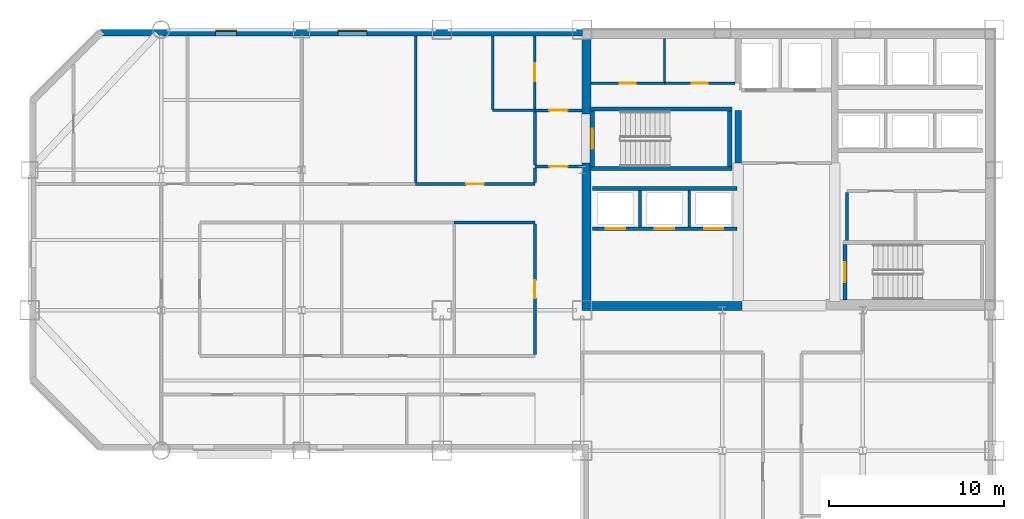
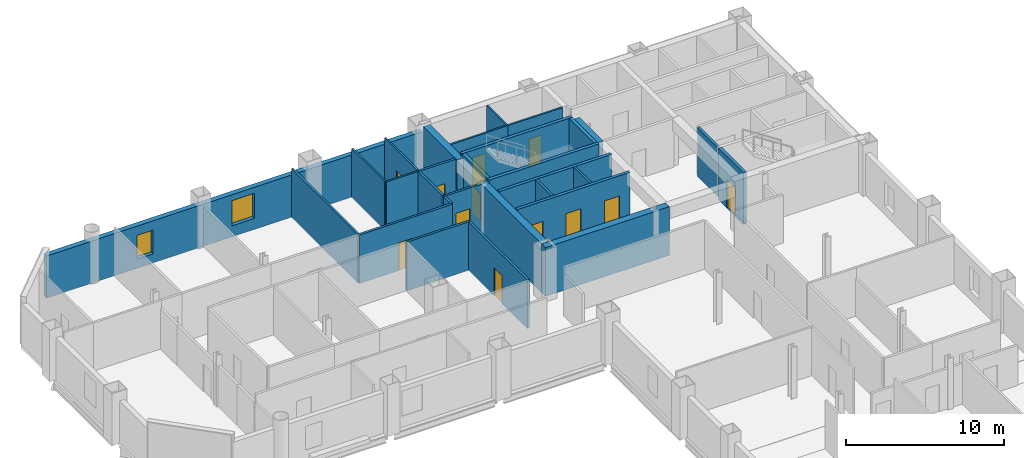
# One storey, part 7 of 10: 29 walls, 12 doors, 2 windows, 14 openings.
"""IFC4 building model written with IfcOpenShell, lengths in metres."""

import ifcopenshell
import ifcopenshell.guid

model = None  # the IFC model being written
_history = None  # IfcOwnerHistory: only IFC2X3 demands one
_inside = {}  # id of a spatial element -> (the spatial element, [elements in it])
_under = {}  # id of a project, library or spatial element -> (it, [spatial elements below it])
_declared = {}  # id of a project -> (the project, [libraries it declares])
_typed = {}  # id of a type object -> (the type object, [elements of that type])
_made_of = {}  # id of a material, layer set ... -> (it, [elements and type objects made of it])


def new_model(schema):
    """Start an empty IFC model of exactly this schema.

    Asked for "IFC4X3", IfcOpenShell would pick the latest addendum, in which some entities
    have other attributes; the version numbers below select the first issue.
    IFC2X3 requires an IfcOwnerHistory on every rooted entity: one is made here for all.
    """
    global model, _history
    if schema == "IFC4X3":
        model = ifcopenshell.file(schema_version=(4, 3, 0, 0))
    else:
        model = ifcopenshell.file(schema=schema)
    _inside.clear()
    _under.clear()
    _declared.clear()
    _typed.clear()
    _made_of.clear()
    _history = None
    if model.schema == "IFC2X3":
        org = make("IfcOrganization", Name="unknown")
        user = make(
            "IfcPersonAndOrganization",
            ThePerson=make("IfcPerson", FamilyName="unknown"),
            TheOrganization=org,
        )
        app = make(
            "IfcApplication",
            ApplicationDeveloper=org,
            Version="unknown",
            ApplicationFullName="unknown",
            ApplicationIdentifier="unknown",
        )
        _history = make(
            "IfcOwnerHistory",
            OwningUser=user,
            OwningApplication=app,
            ChangeAction="ADDED",
            CreationDate=0,
        )
    return model


def make(cls, **values):
    """One entity of the class cls with the attributes given. An attribute that is None is left unset."""
    return model.create_entity(
        cls, **{name: value for name, value in values.items() if value is not None}
    )


def rooted(cls, **values):
    """An entity with a GlobalId (a new one), such as an element, a storey or a relation."""
    return make(cls, GlobalId=ifcopenshell.guid.new(), OwnerHistory=_history, **values)


def si_unit(unit_type, name, prefix=None):
    """IfcSIUnit, for example si_unit("LENGTHUNIT", "METRE", prefix="MILLI")."""
    return make("IfcSIUnit", UnitType=unit_type, Prefix=prefix, Name=name)


def assignment(units):
    """IfcUnitAssignment: the units of a project."""
    return None if units is None else make("IfcUnitAssignment", Units=units)


def point(xyz):
    """IfcCartesianPoint."""
    return None if xyz is None else make("IfcCartesianPoint", Coordinates=xyz)


def direction(xyz):
    """IfcDirection."""
    return None if xyz is None else make("IfcDirection", DirectionRatios=xyz)


def frame(location, z_axis=None, x_axis=None):
    """IfcAxis2Placement3D, a coordinate frame: its origin and axes. An axis left out is left unset."""
    return make(
        "IfcAxis2Placement3D",
        Location=point(location),
        Axis=direction(z_axis),
        RefDirection=direction(x_axis),
    )


def frame_2d(location, x_axis=None):
    """IfcAxis2Placement2D, a coordinate frame in the plane: its origin and x axis."""
    return make(
        "IfcAxis2Placement2D", Location=point(location), RefDirection=direction(x_axis)
    )


def origin():
    """The frame at (0, 0, 0) with its axes left unset."""
    return frame((0.0, 0.0, 0.0))


def place(relative_to, where):
    """IfcLocalPlacement: puts the frame where relative to a parent placement (None: the world)."""
    return make(
        "IfcLocalPlacement", PlacementRelTo=relative_to, RelativePlacement=where
    )


def context(
    kind, dimensions, precision=None, world=None, true_north=None, identifier=None
):
    """IfcGeometricRepresentationContext, for example the 3D "Model" context."""
    return make(
        "IfcGeometricRepresentationContext",
        ContextIdentifier=identifier,
        ContextType=kind,
        CoordinateSpaceDimension=dimensions,
        Precision=precision,
        WorldCoordinateSystem=world,
        TrueNorth=true_north,
    )


def subcontext(parent, identifier, kind, view, scale=None):
    """IfcGeometricRepresentationSubContext, for example "Body" below "Model"."""
    return make(
        "IfcGeometricRepresentationSubContext",
        ContextIdentifier=identifier,
        ContextType=kind,
        ParentContext=parent,
        TargetScale=scale,
        TargetView=view,
    )


def project(units=None, contexts=None):
    """IfcProject with its units and contexts."""
    return rooted(
        "IfcProject",
        Name="project",
        RepresentationContexts=contexts,
        UnitsInContext=assignment(units),
    )


def spatial(cls, under=None, at=None, **own):
    """A site, building, storey or space (cls), placed at a placement, below another one or the project."""
    s = rooted(cls, ObjectPlacement=at, **own)
    if under is not None:
        _under.setdefault(under.id(), (under, []))[1].append(s)
    return s


def profile(cls, at=None, kind="AREA", **sizes):
    """A parametric profile (cls). Its sizes go by their IFC names, for example OverallWidth=200.0."""
    return make(cls, ProfileType=kind, Position=at, **sizes)


def rectangle(**sizes):
    """IfcRectangleProfileDef."""
    return profile("IfcRectangleProfileDef", **sizes)


def extrude(swept, where, along, depth):
    """IfcExtrudedAreaSolid: the profile swept, set in the frame where, extruded along a direction by depth."""
    return make(
        "IfcExtrudedAreaSolid",
        SweptArea=swept,
        Position=where,
        ExtrudedDirection=direction(along),
        Depth=depth,
    )


def shape(context_of_items, identifier, shape_type, items):
    """IfcShapeRepresentation: the items that make up one representation, for example the "Body"."""
    return make(
        "IfcShapeRepresentation",
        ContextOfItems=context_of_items,
        RepresentationIdentifier=identifier,
        RepresentationType=shape_type,
        Items=items,
    )


def material(Name=None, Category=None):
    """IfcMaterial."""
    return make("IfcMaterial", Name=Name, Category=Category)


def layer(
    of_material, thickness, ventilated=None, Name=None, Category=None, Priority=None
):
    """IfcMaterialLayer: one layer of a wall or slab, of a material (None: an air gap)."""
    return make(
        "IfcMaterialLayer",
        Material=of_material,
        LayerThickness=thickness,
        IsVentilated=ventilated,
        Name=Name,
        Category=Category,
        Priority=Priority,
    )


def layer_set(layers, Name=None):
    """IfcMaterialLayerSet."""
    return make("IfcMaterialLayerSet", MaterialLayers=layers, LayerSetName=Name)


def made_of(thing, what):
    """Note that an element or type object is made of a material, layer set ...; save() writes the relation."""
    if what is not None:
        _made_of.setdefault(what.id(), (what, []))[1].append(thing)
    return thing


def type_object(cls, material=None, **own):
    """A type object (cls), such as IfcWallType, which elements share."""
    return made_of(rooted(cls, **own), material)


def element(
    cls,
    number,
    at=None,
    inside=None,
    cuts=None,
    type_object=None,
    material=None,
    context=None,
    identifier="Body",
    shape_type=None,
    held_by="IfcProductDefinitionShape",
    body=None,
    shapes=None,
    **own,
):
    """One element of the class cls, such as IfcWall. Its Tag is "e" and its number.

    at: its placement. inside: the storey or other place that contains it. cuts: it is an
    opening in that element (IfcRelVoidsElement). A single representation is given by context,
    identifier, shape_type and body (its items); several are given by shapes. held_by: the class
    of the entity that holds the representations. save() writes the other relations.
    """
    e = rooted(cls, Tag="e%d" % number, ObjectPlacement=at, **own)
    if body is not None:
        shapes = [shape(context, identifier, shape_type, body)]
    if shapes is not None:
        e.Representation = make(held_by, Representations=shapes)
    if inside is not None:
        _inside.setdefault(inside.id(), (inside, []))[1].append(e)
    if cuts is not None:
        rooted(
            "IfcRelVoidsElement", RelatingBuildingElement=cuts, RelatedOpeningElement=e
        )
    if type_object is not None:
        _typed.setdefault(type_object.id(), (type_object, []))[1].append(e)
    return made_of(e, material)


def fill(opening, filler):
    """IfcRelFillsElement: the door or window that sits in an opening."""
    return rooted(
        "IfcRelFillsElement",
        RelatingOpeningElement=opening,
        RelatedBuildingElement=filler,
    )


def aggregate(whole, parts):
    """IfcRelAggregates: a whole, such as a stair, and the parts it consists of."""
    return rooted("IfcRelAggregates", RelatingObject=whole, RelatedObjects=parts)


def save(model, path):
    """Write the relations noted so far, then the file.

    IfcRelAggregates (storeys below a building ...), IfcRelContainedInSpatialStructure (elements
    in a storey), IfcRelDefinesByType, IfcRelAssociatesMaterial and IfcRelDeclares: one each for
    every whole, place, type object, material and project.
    """
    for whole, parts in _under.values():
        aggregate(whole, parts)
    for where, things in _inside.values():
        rooted(
            "IfcRelContainedInSpatialStructure",
            RelatedElements=things,
            RelatingStructure=where,
        )
    for kind, things in _typed.values():
        rooted("IfcRelDefinesByType", RelatedObjects=things, RelatingType=kind)
    for what, things in _made_of.values():
        rooted("IfcRelAssociatesMaterial", RelatedObjects=things, RelatingMaterial=what)
    for by, libraries in _declared.values():
        rooted("IfcRelDeclares", RelatingContext=by, RelatedDefinitions=libraries)
    model.write(path)


model = new_model("IFC4")

# Units and contexts
model_context = context("Model", 3, precision=1e-05, world=origin(), true_north=direction((0.0, 1.0)))
body_context = subcontext(model_context, "Body", "Model", "MODEL_VIEW")
ifc_project = project(units=[si_unit("LENGTHUNIT", "METRE"), si_unit("AREAUNIT", "SQUARE_METRE"), si_unit("VOLUMEUNIT", "CUBIC_METRE"), si_unit("PLANEANGLEUNIT", "RADIAN"), si_unit("MASSUNIT", "GRAM", prefix="KILO")], contexts=[model_context])

# Site, building, storey
site_placement = place(None, origin())
site = spatial("IfcSite", under=ifc_project, at=site_placement, CompositionType="ELEMENT")
building_placement = place(site_placement, origin())
building = spatial("IfcBuilding", under=site, at=building_placement, Name="Qianrong Seaharbour Tower", CompositionType="ELEMENT")
storey_placement = place(building_placement, frame((0.0, 0.0, 183.0)))
storey = spatial("IfcBuildingStorey", under=building, at=storey_placement, Name="L44", CompositionType="ELEMENT", Elevation=183.0)

# Walls
ifc_material_1 = material(Name="Concrete C60/75", Category="concrete")
ifc_layer_1 = layer(ifc_material_1, 0.5)
ifc_layer_set_1 = layer_set([ifc_layer_1], Name="Concrete C60/75")
wall_type_1 = type_object("IfcWallType", Name="WALL-CORE-500", PredefinedType="SHEAR", material=ifc_layer_set_1)
wall_1_placement = place(storey_placement, frame((40.75, 36.5, 0.0), z_axis=(0.0, 0.0, 1.0), x_axis=(0.0, 1.0, 0.0)))
element("IfcWall", 1, at=wall_1_placement, inside=storey, type_object=wall_type_1, Name="L44 West Core Shear Wall South", PredefinedType="SHEAR", context=body_context, shape_type="SweptSolid", body=[
    extrude(rectangle(XDim=7.89990234375, YDim=0.5, at=frame_2d((3.949951171875, 0.0))), origin(), (0.0, 0.0, 1.0), 3.764892578125),
])
wall_2_placement = place(storey_placement, frame((40.75, 47.199951171875, 0.0), z_axis=(0.0, 0.0, 1.0), x_axis=(0.0, 1.0, 0.0)))
element("IfcWall", 2, at=wall_2_placement, inside=storey, type_object=wall_type_1, Name="L44 West Core Shear Wall North", PredefinedType="SHEAR", context=body_context, shape_type="SweptSolid", body=[
    extrude(rectangle(XDim=4.300048828125, YDim=0.5, at=frame_2d((2.14990234375, 0.0))), origin(), (0.0, 0.0, 1.0), 3.764892578125),
])
wall_3_placement = place(storey_placement, frame((40.5, 36.25, 0.0), z_axis=(0.0, 0.0, 1.0), x_axis=(1.0, 0.0, 0.0)))
element("IfcWall", 3, at=wall_3_placement, inside=storey, type_object=wall_type_1, Name="L44 South Core Shear Wall S1", PredefinedType="SHEAR", context=body_context, shape_type="SweptSolid", body=[
    extrude(rectangle(XDim=9.10009765625, YDim=0.5, at=frame_2d((4.550048828125, 0.0))), origin(), (0.0, 0.0, 1.0), 3.764892578125),
])
ifc_layer_2 = layer(ifc_material_1, 0.3798828125)
ifc_layer_set_2 = layer_set([ifc_layer_2], Name="Concrete C60/75")
wall_type_2 = type_object("IfcWallType", Name="WALL-CORE-INT-380", PredefinedType="SHEAR", material=ifc_layer_set_2)
wall_4_placement = place(storey_placement, frame((49.39990234375, 44.39990234375, 0.0), z_axis=(0.0, 0.0, 1.0), x_axis=(0.0, 1.0, 0.0)))
element("IfcWall", 4, at=wall_4_placement, inside=storey, type_object=wall_type_2, Name="L44 Internal Core Shear Wall IW1N1", PredefinedType="SHEAR", context=body_context, shape_type="SweptSolid", body=[
    extrude(rectangle(XDim=3.0, YDim=0.3798828125, at=frame_2d((1.5, 0.0))), origin(), (0.0, 0.0, 1.0), 3.764892578125),
])

# Wall, opening, door
ifc_material_2 = material(Name="Fire-rated acoustic gypsum board partition")
ifc_layer_3 = layer(ifc_material_2, 0.1650390625)
ifc_layer_set_3 = layer_set([ifc_layer_3], Name="Fire-rated acoustic gypsum board partition")
wall_type_3 = type_object("IfcWallType", Name="WALL-CORR-PART-165", PredefinedType="PARTITIONING", material=ifc_layer_set_3)
wall_5_placement = place(storey_placement, frame((37.800048828125, 47.39990234375, 0.0), z_axis=(0.0, 0.0, 1.0), x_axis=(1.0, 0.0, 0.0)))
wall_5 = element("IfcWall", 5, at=wall_5_placement, inside=storey, type_object=wall_type_3, Name="L44 Interior Partition Wall 001", PredefinedType="PARTITIONING", context=body_context, shape_type="SweptSolid", body=[
    extrude(rectangle(XDim=2.699951171875, YDim=0.1650390625, at=frame_2d((1.35009765625, 0.0))), origin(), (0.0, 0.0, 1.0), 3.764892578125),
])
opening_1_placement = place(wall_5_placement, frame((0.824951171875, 0.0, 0.0)))
opening_1 = element("IfcOpeningElement", 6, at=opening_1_placement, cuts=wall_5, Name="Opening DC-01", PredefinedType="OPENING", context=body_context, shape_type="SweptSolid", body=[
    extrude(rectangle(XDim=1.050048828125, YDim=2.14990234375, at=frame_2d((0.52490234375, 1.074951171875))), frame((0.0, 0.092529296875, 0.0), z_axis=(0.0, -1.0, 0.0), x_axis=(1.0, 0.0, 0.0)), (0.0, 0.0, 1.0), 0.18505859375),
])
ifc_material_3 = material(Name="Acoustic timber and galvanized steel fire door assembly", Category="steel")
door_type_1 = type_object("IfcDoorType", Name="DOOR-CORR-FD60-1050x2150", OperationType="NOTDEFINED", PredefinedType="DOOR", material=ifc_material_3)
door_1_placement = place(opening_1_placement, origin())
door_1 = element("IfcDoor", 7, at=door_1_placement, inside=storey, type_object=door_type_1, Name="L44 Smokeproof Stair Vestibule ST-1 Door", OperationType="SINGLE_SWING_RIGHT", OverallHeight=2.14990234375, OverallWidth=1.050048828125, PredefinedType="DOOR", context=body_context, shape_type="SweptSolid", body=[
    extrude(rectangle(XDim=1.050048828125, YDim=2.14990234375, at=frame_2d((0.52490234375, 1.074951171875))), frame((0.0, 0.02490234375, 0.0), z_axis=(0.0, -1.0, 0.0), x_axis=(1.0, 0.0, 0.0)), (0.0, 0.0, 1.0), 0.050048828125),
])
fill(opening_1, door_1)

wall_6_placement = place(storey_placement, frame((40.5, 44.199951171875, 0.0), z_axis=(0.0, 0.0, 1.0), x_axis=(-1.0, 0.0, 0.0)))
wall_6 = element("IfcWall", 8, at=wall_6_placement, inside=storey, type_object=wall_type_3, Name="L44 Interior Partition Wall 002", PredefinedType="PARTITIONING", context=body_context, shape_type="SweptSolid", body=[
    extrude(rectangle(XDim=2.699951171875, YDim=0.1650390625, at=frame_2d((1.35009765625, 0.0))), origin(), (0.0, 0.0, 1.0), 3.764892578125),
])
opening_2_placement = place(wall_6_placement, frame((0.824951171875, 0.0, 0.0)))
opening_2 = element("IfcOpeningElement", 9, at=opening_2_placement, cuts=wall_6, Name="Opening DC-01", PredefinedType="OPENING", context=body_context, shape_type="SweptSolid", body=[
    extrude(rectangle(XDim=1.050048828125, YDim=2.14990234375, at=frame_2d((0.52490234375, 1.074951171875))), frame((0.0, 0.092529296875, 0.0), z_axis=(0.0, -1.0, 0.0), x_axis=(1.0, 0.0, 0.0)), (0.0, 0.0, 1.0), 0.18505859375),
])
door_2_placement = place(opening_2_placement, origin())
door_2 = element("IfcDoor", 10, at=door_2_placement, inside=storey, type_object=door_type_1, Name="L44 Smokeproof Stair Vestibule ST-1 Door", OperationType="SINGLE_SWING_LEFT", OverallHeight=2.14990234375, OverallWidth=1.050048828125, PredefinedType="DOOR", context=body_context, shape_type="SweptSolid", body=[
    extrude(rectangle(XDim=1.050048828125, YDim=2.14990234375, at=frame_2d((0.52490234375, 1.074951171875))), frame((0.0, 0.02490234375, 0.0), z_axis=(0.0, -1.0, 0.0), x_axis=(1.0, 0.0, 0.0)), (0.0, 0.0, 1.0), 0.050048828125),
])
fill(opening_2, door_2)

# Wall
wall_7_placement = place(storey_placement, frame((37.800048828125, 44.2744140625, 0.0), z_axis=(0.0, 0.0, 1.0), x_axis=(0.0, 1.0, 0.0)))
element("IfcWall", 11, at=wall_7_placement, inside=storey, type_object=wall_type_3, Name="L44 Interior Partition Wall 003", PredefinedType="PARTITIONING", context=body_context, shape_type="SweptSolid", body=[
    extrude(rectangle(XDim=3.051025390625, YDim=0.1650390625, at=frame_2d((1.525390625, 0.0))), origin(), (0.0, 0.0, 1.0), 3.764892578125),
])

# Wall, opening, door
wall_8_placement = place(storey_placement, frame((31.0, 43.199951171875, 0.0), z_axis=(0.0, 0.0, 1.0), x_axis=(1.0, 0.0, 0.0)))
wall_8 = element("IfcWall", 12, at=wall_8_placement, inside=storey, type_object=wall_type_3, Name="L44 Interior Partition Wall 026", PredefinedType="PARTITIONING", context=body_context, shape_type="SweptSolid", body=[
    extrude(rectangle(XDim=6.800048828125, YDim=0.1650390625, at=frame_2d((3.39990234375, 0.0))), origin(), (0.0, 0.0, 1.0), 3.764892578125),
])
opening_3_placement = place(wall_8_placement, frame((2.89990234375, 0.0, 0.0)))
opening_3 = element("IfcOpeningElement", 13, at=opening_3_placement, cuts=wall_8, Name="Opening DO-01", PredefinedType="OPENING", context=body_context, shape_type="SweptSolid", body=[
    extrude(rectangle(XDim=1.0, YDim=2.14990234375, at=frame_2d((0.5, 1.074951171875))), frame((0.0, 0.092529296875, 0.0), z_axis=(0.0, -1.0, 0.0), x_axis=(1.0, 0.0, 0.0)), (0.0, 0.0, 1.0), 0.18505859375),
])
door_type_2 = type_object("IfcDoorType", Name="DOOR-OFFICE-1000x2150", OperationType="NOTDEFINED", PredefinedType="DOOR", material=ifc_material_3)
door_3_placement = place(opening_3_placement, origin())
door_3 = element("IfcDoor", 14, at=door_3_placement, inside=storey, type_object=door_type_2, Name="L44 Vessel Model Showroom 5 Door", OperationType="SINGLE_SWING_RIGHT", OverallHeight=2.14990234375, OverallWidth=1.0, PredefinedType="DOOR", context=body_context, shape_type="SweptSolid", body=[
    extrude(rectangle(XDim=1.0, YDim=2.14990234375, at=frame_2d((0.5, 1.074951171875))), frame((0.0, 0.02490234375, 0.0), z_axis=(0.0, -1.0, 0.0), x_axis=(1.0, 0.0, 0.0)), (0.0, 0.0, 1.0), 0.050048828125),
])
fill(opening_3, door_3)

# Walls
wall_9_placement = place(storey_placement, frame((37.800048828125, 41.0, 0.0), z_axis=(0.0, 0.0, 1.0), x_axis=(-1.0, 0.0, 0.0)))
element("IfcWall", 15, at=wall_9_placement, inside=storey, type_object=wall_type_3, Name="L44 Interior Partition Wall 030", PredefinedType="PARTITIONING", context=body_context, shape_type="SweptSolid", body=[
    extrude(rectangle(XDim=4.60009765625, YDim=0.1650390625, at=frame_2d((2.300048828125, 0.0))), origin(), (0.0, 0.0, 1.0), 3.764892578125),
])
wall_10_placement = place(storey_placement, frame((37.800048828125, 43.2744140625, 0.0), z_axis=(0.0, 0.0, 1.0), x_axis=(0.0, 1.0, 0.0)))
element("IfcWall", 16, at=wall_10_placement, inside=storey, type_object=wall_type_3, Name="L44 Interior Partition Wall 034", PredefinedType="PARTITIONING", context=body_context, shape_type="SweptSolid", body=[
    extrude(rectangle(XDim=0.85107421875, YDim=0.1650390625, at=frame_2d((0.425537109375, 0.0))), origin(), (0.0, 0.0, 1.0), 3.764892578125),
])

# Wall, opening, door
wall_11_placement = place(storey_placement, frame((37.800048828125, 33.474609375, 0.0), z_axis=(0.0, 0.0, 1.0), x_axis=(0.0, 1.0, 0.0)))
wall_11 = element("IfcWall", 17, at=wall_11_placement, inside=storey, type_object=wall_type_3, Name="L44 Interior Partition Wall 035", PredefinedType="PARTITIONING", context=body_context, shape_type="SweptSolid", body=[
    extrude(rectangle(XDim=7.450927734375, YDim=0.1650390625, at=frame_2d((3.7255859375, 0.0))), origin(), (0.0, 0.0, 1.0), 3.764892578125),
])
opening_4_placement = place(wall_11_placement, frame((3.2255859375, 0.0, 0.0)))
opening_4 = element("IfcOpeningElement", 18, at=opening_4_placement, cuts=wall_11, Name="Opening DO-01", PredefinedType="OPENING", context=body_context, shape_type="SweptSolid", body=[
    extrude(rectangle(XDim=1.0, YDim=2.14990234375, at=frame_2d((0.5, 1.074951171875))), frame((0.0, 0.092529296875, 0.0), z_axis=(0.0, -1.0, 0.0), x_axis=(1.0, 0.0, 0.0)), (0.0, 0.0, 1.0), 0.18505859375),
])
door_4_placement = place(opening_4_placement, origin())
door_4 = element("IfcDoor", 19, at=door_4_placement, inside=storey, type_object=door_type_2, Name="L44 Maritime Artifact Showroom 4 Door", OperationType="SINGLE_SWING_RIGHT", OverallHeight=2.14990234375, OverallWidth=1.0, PredefinedType="DOOR", context=body_context, shape_type="SweptSolid", body=[
    extrude(rectangle(XDim=1.0, YDim=2.14990234375, at=frame_2d((0.5, 1.074951171875))), frame((0.0, 0.02490234375, 0.0), z_axis=(0.0, -1.0, 0.0), x_axis=(1.0, 0.0, 0.0)), (0.0, 0.0, 1.0), 0.050048828125),
])
fill(opening_4, door_4)

# Wall, openings, windows
ifc_material_4 = material(Name="Unitised red brick on Precast concrete C45/55", Category="masonry")
ifc_layer_4 = layer(ifc_material_4, 0.360107421875)
ifc_layer_set_4 = layer_set([ifc_layer_4], Name="Unitised red brick on Precast concrete C45/55")
wall_type_4 = type_object("IfcWallType", Name="WALL-EXT-BRICK-RED-360", PredefinedType="SOLIDWALL", material=ifc_layer_set_4)
wall_12_placement = place(storey_placement, frame((13.0, 51.820068359375, 0.0), z_axis=(0.0, 0.0, 1.0), x_axis=(1.0, 0.0, 0.0)))
wall_12 = element("IfcWall", 20, at=wall_12_placement, inside=storey, type_object=wall_type_4, Name="L44 Exterior Masonry Facade Wall NORTH_WING", PredefinedType="SOLIDWALL", context=body_context, shape_type="SweptSolid", body=[
    extrude(rectangle(XDim=27.52001953125, YDim=0.360107421875, at=frame_2d((13.760009765625, 0.0))), origin(), (0.0, 0.0, 1.0), 3.264892578125),
])
opening_5_placement = place(wall_12_placement, frame((6.60009765625, 0.0, 0.699951171875)))
opening_5 = element("IfcOpeningElement", 21, at=opening_5_placement, cuts=wall_12, Name="Opening WN-01", PredefinedType="OPENING", context=body_context, shape_type="SweptSolid", body=[
    extrude(rectangle(XDim=1.199951171875, YDim=1.85009765625, at=frame_2d((0.60009765625, 0.925048828125))), frame((0.0, 0.18994140625, 0.0), z_axis=(0.0, -1.0, 0.0), x_axis=(1.0, 0.0, 0.0)), (0.0, 0.0, 1.0), 0.380126953125),
])
opening_6_placement = place(wall_12_placement, frame((13.574951171875, 0.0, 0.85009765625)))
opening_6 = element("IfcOpeningElement", 22, at=opening_6_placement, cuts=wall_12, Name="Opening WN-04", PredefinedType="OPENING", context=body_context, shape_type="SweptSolid", body=[
    extrude(rectangle(XDim=1.64990234375, YDim=1.949951171875, at=frame_2d((0.824951171875, 0.97509765625))), frame((0.0, 0.18994140625, 0.0), z_axis=(0.0, -1.0, 0.0), x_axis=(1.0, 0.0, 0.0)), (0.0, 0.0, 1.0), 0.380126953125),
])
ifc_material_5 = material(Name="Insulated low-e double glazing in thermally broken aluminium 6063-T6 frame", Category="aluminium")
window_type_1 = type_object("IfcWindowType", Name="WIN-PUNCH-1200x1850", PartitioningType="DOUBLE_PANEL_VERTICAL", PredefinedType="WINDOW", material=ifc_material_5)
window_1_placement = place(opening_5_placement, origin())
window_1 = element("IfcWindow", 23, at=window_1_placement, inside=storey, type_object=window_type_1, Name="L44 Deep-Set Punched Window 05.02", OverallHeight=1.85009765625, OverallWidth=1.199951171875, PartitioningType="DOUBLE_PANEL_VERTICAL", PredefinedType="WINDOW", context=body_context, shape_type="SweptSolid", body=[
    extrude(rectangle(XDim=1.199951171875, YDim=1.85009765625, at=frame_2d((0.60009765625, 0.925048828125))), frame((0.0, 0.150146484375, 0.0), z_axis=(0.0, -1.0, 0.0), x_axis=(1.0, 0.0, 0.0)), (0.0, 0.0, 1.0), 0.06005859375),
])
fill(opening_5, window_1)
window_type_2 = type_object("IfcWindowType", Name="WIN-PUNCH-1650x1950", PartitioningType="DOUBLE_PANEL_VERTICAL", PredefinedType="WINDOW", material=ifc_material_5)
window_2_placement = place(opening_6_placement, origin())
window_2 = element("IfcWindow", 24, at=window_2_placement, inside=storey, type_object=window_type_2, Name="L44 Deep-Set Punched Window 05.04", OverallHeight=1.949951171875, OverallWidth=1.64990234375, PartitioningType="DOUBLE_PANEL_VERTICAL", PredefinedType="WINDOW", context=body_context, shape_type="SweptSolid", body=[
    extrude(rectangle(XDim=1.64990234375, YDim=1.949951171875, at=frame_2d((0.824951171875, 0.97509765625))), frame((0.0, 0.150146484375, 0.0), z_axis=(0.0, -1.0, 0.0), x_axis=(1.0, 0.0, 0.0)), (0.0, 0.0, 1.0), 0.06005859375),
])
fill(opening_6, window_2)

# Walls
ifc_material_6 = material(Name="Double fire-rated gypsum board acoustic partition")
ifc_layer_5 = layer(ifc_material_6, 0.18994140625)
ifc_layer_set_5 = layer_set([ifc_layer_5], Name="Double fire-rated gypsum board acoustic partition")
wall_type_5 = type_object("IfcWallType", Name="WALL-FIRE-PART-190", PredefinedType="PARTITIONING", material=ifc_layer_set_5)
wall_13_placement = place(storey_placement, frame((55.60009765625, 42.712890625, 0.0), z_axis=(0.0, 0.0, 1.0), x_axis=(0.0, -1.0, 0.0)))
element("IfcWall", 25, at=wall_13_placement, inside=storey, type_object=wall_type_5, Name="L44 Interior Partition Wall 010", PredefinedType="PARTITIONING", context=body_context, shape_type="SweptSolid", body=[
    extrude(rectangle(XDim=2.73095703125, YDim=0.18994140625, at=frame_2d((1.365478515625, 0.0))), origin(), (0.0, 0.0, 1.0), 3.764892578125),
])
ifc_material_7 = material(Name="Acoustic gypsum board stud partition")
ifc_layer_6 = layer(ifc_material_7, 0.14501953125)
ifc_layer_set_6 = layer_set([ifc_layer_6], Name="Acoustic gypsum board stud partition")
wall_type_6 = type_object("IfcWallType", Name="WALL-OFFICE-PART-145", PredefinedType="PARTITIONING", material=ifc_layer_set_6)
wall_14_placement = place(storey_placement, frame((31.0, 51.64794921875, 0.0), z_axis=(0.0, 0.0, 1.0), x_axis=(0.0, -1.0, 0.0)))
element("IfcWall", 26, at=wall_14_placement, inside=storey, type_object=wall_type_6, Name="L44 Interior Partition Wall 057", PredefinedType="PARTITIONING", context=body_context, shape_type="SweptSolid", body=[
    extrude(rectangle(XDim=8.37353515625, YDim=0.14501953125, at=frame_2d((4.186767578125, 0.0))), origin(), (0.0, 0.0, 1.0), 3.764892578125),
])
ifc_material_8 = material(Name="Fire-rated gypsum board on steel studs", Category="steel")
ifc_layer_7 = layer(ifc_material_8, 0.14990234375)
ifc_layer_set_7 = layer_set([ifc_layer_7], Name="Fire-rated gypsum board on steel studs")
wall_type_7 = type_object("IfcWallType", Name="WALL-SHAFT-DIV-150", PredefinedType="PARTITIONING", material=ifc_layer_set_7)
for number, where, z_axis, x_axis, name in (
    (27, (43.800048828125, 40.760009765625, 0.0), (0.0, 0.0, 1.0), (0.0, 1.0, 0.0), "L44 P2 Lift Hoistway Divider 2"),
    (28, (46.60009765625, 40.760009765625, 0.0), (0.0, 0.0, 1.0), (0.0, 1.0, 0.0), "L44 P2 Lift Hoistway Divider 3"),
):
    element("IfcWall", number, at=place(storey_placement, frame(where, z_axis=z_axis, x_axis=x_axis)), inside=storey, type_object=wall_type_7, Name=name, PredefinedType="PARTITIONING", context=body_context, shape_type="SweptSolid", body=[
        extrude(rectangle(XDim=2.080078125, YDim=0.14990234375, at=frame_2d((1.0400390625, 0.0))), origin(), (0.0, 0.0, 1.0), 3.764892578125),
    ])

# Wall, openings, doors
ifc_layer_8 = layer(ifc_material_8, 0.219970703125)
ifc_layer_set_8 = layer_set([ifc_layer_8], Name="Fire-rated gypsum board on steel studs")
wall_type_8 = type_object("IfcWallType", Name="WALL-SHAFT-GYP220", PredefinedType="PARTITIONING", material=ifc_layer_set_8)
wall_15_placement = place(storey_placement, frame((49.320068359375, 40.64990234375, 0.0), z_axis=(0.0, 0.0, 1.0), x_axis=(-1.0, 0.0, 0.0)))
wall_15 = element("IfcWall", 29, at=wall_15_placement, inside=storey, type_object=wall_type_8, Name="L44 P2 Lift Hoistway Front Wall", PredefinedType="PARTITIONING", context=body_context, shape_type="SweptSolid", body=[
    extrude(rectangle(XDim=8.239990234375, YDim=0.219970703125, at=frame_2d((4.1201171875, 0.0))), origin(), (0.0, 0.0, 1.0), 3.764892578125),
])
opening_7_placement = place(wall_15_placement, frame((6.3701171875, 0.0, 0.0)))
opening_7 = element("IfcOpeningElement", 30, at=opening_7_placement, cuts=wall_15, Name="Opening LD-02", PredefinedType="OPENING", context=body_context, shape_type="SweptSolid", body=[
    extrude(rectangle(XDim=1.10009765625, YDim=2.199951171875, at=frame_2d((0.550048828125, 1.10009765625))), frame((0.0, 0.1201171875, 0.0), z_axis=(0.0, -1.0, 0.0), x_axis=(1.0, 0.0, 0.0)), (0.0, 0.0, 1.0), 0.239990234375),
])
opening_8_placement = place(wall_15_placement, frame((3.570068359375, 0.0, 0.0)))
opening_8 = element("IfcOpeningElement", 31, at=opening_8_placement, cuts=wall_15, Name="Opening LD-02", PredefinedType="OPENING", context=body_context, shape_type="SweptSolid", body=[
    extrude(rectangle(XDim=1.10009765625, YDim=2.199951171875, at=frame_2d((0.550048828125, 1.10009765625))), frame((0.0, 0.1201171875, 0.0), z_axis=(0.0, -1.0, 0.0), x_axis=(1.0, 0.0, 0.0)), (0.0, 0.0, 1.0), 0.239990234375),
])
opening_9_placement = place(wall_15_placement, frame((0.77001953125, 0.0, 0.0)))
opening_9 = element("IfcOpeningElement", 32, at=opening_9_placement, cuts=wall_15, Name="Opening LD-02", PredefinedType="OPENING", context=body_context, shape_type="SweptSolid", body=[
    extrude(rectangle(XDim=1.10009765625, YDim=2.199951171875, at=frame_2d((0.550048828125, 1.10009765625))), frame((0.0, 0.1201171875, 0.0), z_axis=(0.0, -1.0, 0.0), x_axis=(1.0, 0.0, 0.0)), (0.0, 0.0, 1.0), 0.239990234375),
])
ifc_material_9 = material(Name="Stainless steel SUS316L bi-parting lift landing door", Category="steel")
door_type_3 = type_object("IfcDoorType", Name="DOOR-LIFT-PASS-1100x2200", OperationType="DOUBLE_DOOR_SLIDING", PredefinedType="DOOR", material=ifc_material_9)
door_5_placement = place(opening_7_placement, origin())
door_5 = element("IfcDoor", 33, at=door_5_placement, inside=storey, type_object=door_type_3, Name="L44 PL-2A Lift Landing Door", OperationType="DOUBLE_DOOR_SLIDING", OverallHeight=2.199951171875, OverallWidth=1.10009765625, PredefinedType="DOOR", context=body_context, shape_type="SweptSolid", body=[
    extrude(rectangle(XDim=1.10009765625, YDim=2.199951171875, at=frame_2d((0.550048828125, 1.10009765625))), frame((0.0, 0.02490234375, 0.0), z_axis=(0.0, -1.0, 0.0), x_axis=(1.0, 0.0, 0.0)), (0.0, 0.0, 1.0), 0.050048828125),
])
fill(opening_7, door_5)
door_6_placement = place(opening_8_placement, origin())
door_6 = element("IfcDoor", 34, at=door_6_placement, inside=storey, type_object=door_type_3, Name="L44 PL-2B Lift Landing Door", OperationType="DOUBLE_DOOR_SLIDING", OverallHeight=2.199951171875, OverallWidth=1.10009765625, PredefinedType="DOOR", context=body_context, shape_type="SweptSolid", body=[
    extrude(rectangle(XDim=1.10009765625, YDim=2.199951171875, at=frame_2d((0.550048828125, 1.10009765625))), frame((0.0, 0.02490234375, 0.0), z_axis=(0.0, -1.0, 0.0), x_axis=(1.0, 0.0, 0.0)), (0.0, 0.0, 1.0), 0.050048828125),
])
fill(opening_8, door_6)
door_7_placement = place(opening_9_placement, origin())
door_7 = element("IfcDoor", 35, at=door_7_placement, inside=storey, type_object=door_type_3, Name="L44 PL-2C Lift Landing Door", OperationType="DOUBLE_DOOR_SLIDING", OverallHeight=2.199951171875, OverallWidth=1.10009765625, PredefinedType="DOOR", context=body_context, shape_type="SweptSolid", body=[
    extrude(rectangle(XDim=1.10009765625, YDim=2.199951171875, at=frame_2d((0.550048828125, 1.10009765625))), frame((0.0, 0.02490234375, 0.0), z_axis=(0.0, -1.0, 0.0), x_axis=(1.0, 0.0, 0.0)), (0.0, 0.0, 1.0), 0.050048828125),
])
fill(opening_9, door_7)

# Walls
wall_16_placement = place(storey_placement, frame((41.080078125, 42.949951171875, 0.0), z_axis=(0.0, 0.0, 1.0), x_axis=(1.0, 0.0, 0.0)))
element("IfcWall", 36, at=wall_16_placement, inside=storey, type_object=wall_type_8, Name="L44 P2 Lift Hoistway Back Wall", PredefinedType="PARTITIONING", context=body_context, shape_type="SweptSolid", body=[
    extrude(rectangle(XDim=8.239990234375, YDim=0.219970703125, at=frame_2d((4.1201171875, 0.0))), origin(), (0.0, 0.0, 1.0), 3.764892578125),
])
ifc_material_10 = material(Name="Concrete C50/60", Category="concrete")
ifc_layer_9 = layer(ifc_material_10, 0.239990234375)
ifc_layer_set_9 = layer_set([ifc_layer_9], Name="Concrete C50/60")
wall_type_9 = type_object("IfcWallType", Name="WALL-SHAFT-RC240", PredefinedType="SOLIDWALL", material=ifc_layer_set_9)
for number, where, z_axis, x_axis, name in (
    (37, (40.9599609375, 47.469970703125, 0.0), (0.0, 0.0, 1.0), (1.0, 0.0, 0.0), "L44 ST-1 Structural Stair Core Wall N"),
    (38, (49.0400390625, 44.080078125, 0.0), (0.0, 0.0, 1.0), (-1.0, 0.0, 0.0), "L44 ST-1 Structural Stair Core Wall S"),
):
    element("IfcWall", number, at=place(storey_placement, frame(where, z_axis=z_axis, x_axis=x_axis)), inside=storey, type_object=wall_type_9, Name=name, PredefinedType="SOLIDWALL", context=body_context, shape_type="SweptSolid", body=[
        extrude(rectangle(XDim=8.080078125, YDim=0.239990234375, at=frame_2d((4.0400390625, 0.0))), origin(), (0.0, 0.0, 1.0), 4.0),
    ])

# Wall, opening, door
wall_17_placement = place(storey_placement, frame((41.080078125, 47.35009765625, 0.0), z_axis=(0.0, 0.0, 1.0), x_axis=(0.0, -1.0, 0.0)))
wall_17 = element("IfcWall", 39, at=wall_17_placement, inside=storey, type_object=wall_type_9, Name="L44 ST-1 Structural Stair Core Wall W", PredefinedType="SOLIDWALL", context=body_context, shape_type="SweptSolid", body=[
    extrude(rectangle(XDim=3.150146484375, YDim=0.239990234375, at=frame_2d((1.5751953125, 0.0))), origin(), (0.0, 0.0, 1.0), 4.0),
])
opening_10_placement = place(wall_17_placement, frame((1.0, 0.0, 0.0)))
opening_10 = element("IfcOpeningElement", 40, at=opening_10_placement, cuts=wall_17, Name="Opening SD-01", PredefinedType="OPENING", context=body_context, shape_type="SweptSolid", body=[
    extrude(rectangle(XDim=1.14990234375, YDim=2.199951171875, at=frame_2d((0.574951171875, 1.10009765625))), frame((0.0, 0.1298828125, 0.0), z_axis=(0.0, -1.0, 0.0), x_axis=(1.0, 0.0, 0.0)), (0.0, 0.0, 1.0), 0.260009765625),
])
door_type_4 = type_object("IfcDoorType", Name="DOOR-STAIR-FD60-1150x2200", OperationType="NOTDEFINED", PredefinedType="DOOR", material=ifc_material_3)
door_8_placement = place(opening_10_placement, origin())
door_8 = element("IfcDoor", 41, at=door_8_placement, inside=storey, type_object=door_type_4, Name="L44 ST-1 Protected Stair Door", OperationType="SINGLE_SWING_LEFT", OverallHeight=2.199951171875, OverallWidth=1.14990234375, PredefinedType="DOOR", context=body_context, shape_type="SweptSolid", body=[
    extrude(rectangle(XDim=1.14990234375, YDim=2.199951171875, at=frame_2d((0.574951171875, 1.10009765625))), frame((0.0, 0.02490234375, 0.0), z_axis=(0.0, -1.0, 0.0), x_axis=(1.0, 0.0, 0.0)), (0.0, 0.0, 1.0), 0.050048828125),
])
fill(opening_10, door_8)

# Wall
wall_18_placement = place(storey_placement, frame((48.919921875, 44.199951171875, 0.0), z_axis=(0.0, 0.0, 1.0), x_axis=(0.0, 1.0, 0.0)))
element("IfcWall", 42, at=wall_18_placement, inside=storey, type_object=wall_type_9, Name="L44 ST-1 Structural Stair Core Wall E", PredefinedType="SOLIDWALL", context=body_context, shape_type="SweptSolid", body=[
    extrude(rectangle(XDim=3.150146484375, YDim=0.239990234375, at=frame_2d((1.5751953125, 0.0))), origin(), (0.0, 0.0, 1.0), 4.0),
])

# Wall, opening, door
wall_19_placement = place(storey_placement, frame((55.47998046875, 39.75, 0.0), z_axis=(0.0, 0.0, 1.0), x_axis=(0.0, -1.0, 0.0)))
wall_19 = element("IfcWall", 43, at=wall_19_placement, inside=storey, type_object=wall_type_9, Name="L44 ST-2 Structural Stair Core Wall W", PredefinedType="SOLIDWALL", context=body_context, shape_type="SweptSolid", body=[
    extrude(rectangle(XDim=3.14990234375, YDim=0.239990234375, at=frame_2d((1.574951171875, 0.0))), origin(), (0.0, 0.0, 1.0), 4.0),
])
opening_11_placement = place(wall_19_placement, frame((1.0, 0.0, 0.0)))
opening_11 = element("IfcOpeningElement", 44, at=opening_11_placement, cuts=wall_19, Name="Opening SD-01", PredefinedType="OPENING", context=body_context, shape_type="SweptSolid", body=[
    extrude(rectangle(XDim=1.14990234375, YDim=2.199951171875, at=frame_2d((0.574951171875, 1.10009765625))), frame((0.0, 0.1298828125, 0.0), z_axis=(0.0, -1.0, 0.0), x_axis=(1.0, 0.0, 0.0)), (0.0, 0.0, 1.0), 0.260009765625),
])
door_9_placement = place(opening_11_placement, origin())
door_9 = element("IfcDoor", 45, at=door_9_placement, inside=storey, type_object=door_type_4, Name="L44 ST-2 Protected Stair Door", OperationType="SINGLE_SWING_LEFT", OverallHeight=2.199951171875, OverallWidth=1.14990234375, PredefinedType="DOOR", context=body_context, shape_type="SweptSolid", body=[
    extrude(rectangle(XDim=1.14990234375, YDim=2.199951171875, at=frame_2d((0.574951171875, 1.10009765625))), frame((0.0, 0.02490234375, 0.0), z_axis=(0.0, -1.0, 0.0), x_axis=(1.0, 0.0, 0.0)), (0.0, 0.0, 1.0), 0.050048828125),
])
fill(opening_11, door_9)

ifc_material_11 = material(Name="Water-resistant cement board sanitary partition")
ifc_layer_10 = layer(ifc_material_11, 0.1298828125)
ifc_layer_set_10 = layer_set([ifc_layer_10], Name="Water-resistant cement board sanitary partition")
wall_type_10 = type_object("IfcWallType", Name="WALL-WET-PART-130", PredefinedType="PARTITIONING", material=ifc_layer_set_10)
wall_20_placement = place(storey_placement, frame((37.800048828125, 47.474609375, 0.0), z_axis=(0.0, 0.0, 1.0), x_axis=(0.0, 1.0, 0.0)))
wall_20 = element("IfcWall", 46, at=wall_20_placement, inside=storey, type_object=wall_type_10, Name="L44 Interior Partition Wall 004", PredefinedType="PARTITIONING", context=body_context, shape_type="SweptSolid", body=[
    extrude(rectangle(XDim=4.17333984375, YDim=0.1298828125, at=frame_2d((2.086669921875, 0.0))), origin(), (0.0, 0.0, 1.0), 3.764892578125),
])
opening_12_placement = place(wall_20_placement, frame((1.57666015625, 0.0, 0.0)))
opening_12 = element("IfcOpeningElement", 47, at=opening_12_placement, cuts=wall_20, Name="Opening DAW-01", PredefinedType="OPENING", context=body_context, shape_type="SweptSolid", body=[
    extrude(rectangle(XDim=1.02001953125, YDim=2.14990234375, at=frame_2d((0.510009765625, 1.074951171875))), frame((0.0, 0.074951171875, 0.0), z_axis=(0.0, -1.0, 0.0), x_axis=(1.0, 0.0, 0.0)), (0.0, 0.0, 1.0), 0.14990234375),
])
door_type_5 = type_object("IfcDoorType", Name="DOOR-AWC-SLIDE-1020x2150", OperationType="SLIDING_TO_LEFT", PredefinedType="DOOR", material=ifc_material_3)
door_10_placement = place(opening_12_placement, origin())
door_10 = element("IfcDoor", 48, at=door_10_placement, inside=storey, type_object=door_type_5, Name="L44 Accessible Restroom WC Door", OperationType="SLIDING_TO_LEFT", OverallHeight=2.14990234375, OverallWidth=1.02001953125, PredefinedType="DOOR", context=body_context, shape_type="SweptSolid", body=[
    extrude(rectangle(XDim=1.02001953125, YDim=2.14990234375, at=frame_2d((0.510009765625, 1.074951171875))), frame((0.0, 0.02490234375, 0.0), z_axis=(0.0, -1.0, 0.0), x_axis=(1.0, 0.0, 0.0)), (0.0, 0.0, 1.0), 0.050048828125),
])
fill(opening_12, door_10)

# Walls
wall_21_placement = place(storey_placement, frame((37.800048828125, 47.39990234375, 0.0), z_axis=(0.0, 0.0, 1.0), x_axis=(-1.0, 0.0, 0.0)))
element("IfcWall", 49, at=wall_21_placement, inside=storey, type_object=wall_type_10, Name="L44 Interior Partition Wall 005", PredefinedType="PARTITIONING", context=body_context, shape_type="SweptSolid", body=[
    extrude(rectangle(XDim=2.400146484375, YDim=0.1298828125, at=frame_2d((1.2001953125, 0.0))), origin(), (0.0, 0.0, 1.0), 3.764892578125),
])
wall_22_placement = place(storey_placement, frame((35.39990234375, 47.45703125, 0.0), z_axis=(0.0, 0.0, 1.0), x_axis=(0.0, 1.0, 0.0)))
element("IfcWall", 50, at=wall_22_placement, inside=storey, type_object=wall_type_10, Name="L44 Interior Partition Wall 006", PredefinedType="PARTITIONING", context=body_context, shape_type="SweptSolid", body=[
    extrude(rectangle(XDim=4.19091796875, YDim=0.1298828125, at=frame_2d((2.095458984375, 0.0))), origin(), (0.0, 0.0, 1.0), 3.764892578125),
])

# Wall, opening, door
wall_23_placement = place(storey_placement, frame((41.0, 48.949951171875, 0.0), z_axis=(0.0, 0.0, 1.0), x_axis=(1.0, 0.0, 0.0)))
wall_23 = element("IfcWall", 51, at=wall_23_placement, inside=storey, type_object=wall_type_10, Name="L44 Interior Partition Wall 007", PredefinedType="PARTITIONING", context=body_context, shape_type="SweptSolid", body=[
    extrude(rectangle(XDim=4.199951171875, YDim=0.1298828125, at=frame_2d((2.10009765625, 0.0))), origin(), (0.0, 0.0, 1.0), 3.764892578125),
])
opening_13_placement = place(wall_23_placement, frame((1.639892578125, 0.0, 0.0)))
opening_13 = element("IfcOpeningElement", 52, at=opening_13_placement, cuts=wall_23, Name="Opening DW-01", PredefinedType="OPENING", context=body_context, shape_type="SweptSolid", body=[
    extrude(rectangle(XDim=0.919921875, YDim=2.14990234375, at=frame_2d((0.4599609375, 1.074951171875))), frame((0.0, 0.074951171875, 0.0), z_axis=(0.0, -1.0, 0.0), x_axis=(1.0, 0.0, 0.0)), (0.0, 0.0, 1.0), 0.14990234375),
])
door_type_6 = type_object("IfcDoorType", Name="DOOR-WC-920x2150", OperationType="NOTDEFINED", PredefinedType="DOOR", material=ifc_material_3)
door_11_placement = place(opening_13_placement, origin())
door_11 = element("IfcDoor", 53, at=door_11_placement, inside=storey, type_object=door_type_6, Name="L44 Male Restroom WC Door", OperationType="SINGLE_SWING_RIGHT", OverallHeight=2.14990234375, OverallWidth=0.919921875, PredefinedType="DOOR", context=body_context, shape_type="SweptSolid", body=[
    extrude(rectangle(XDim=0.919921875, YDim=2.14990234375, at=frame_2d((0.4599609375, 1.074951171875))), frame((0.0, 0.02490234375, 0.0), z_axis=(0.0, -1.0, 0.0), x_axis=(1.0, 0.0, 0.0)), (0.0, 0.0, 1.0), 0.050048828125),
])
fill(opening_13, door_11)

wall_24_placement = place(storey_placement, frame((45.199951171875, 48.949951171875, 0.0), z_axis=(0.0, 0.0, 1.0), x_axis=(1.0, 0.0, 0.0)))
wall_24 = element("IfcWall", 54, at=wall_24_placement, inside=storey, type_object=wall_type_10, Name="L44 Interior Partition Wall 008", PredefinedType="PARTITIONING", context=body_context, shape_type="SweptSolid", body=[
    extrude(rectangle(XDim=4.01806640625, YDim=0.1298828125, at=frame_2d((2.009033203125, 0.0))), origin(), (0.0, 0.0, 1.0), 3.764892578125),
])
opening_14_placement = place(wall_24_placement, frame((1.549072265625, 0.0, 0.0)))
opening_14 = element("IfcOpeningElement", 55, at=opening_14_placement, cuts=wall_24, Name="Opening DW-01", PredefinedType="OPENING", context=body_context, shape_type="SweptSolid", body=[
    extrude(rectangle(XDim=0.919921875, YDim=2.14990234375, at=frame_2d((0.4599609375, 1.074951171875))), frame((0.0, 0.074951171875, 0.0), z_axis=(0.0, -1.0, 0.0), x_axis=(1.0, 0.0, 0.0)), (0.0, 0.0, 1.0), 0.14990234375),
])
door_12_placement = place(opening_14_placement, origin())
door_12 = element("IfcDoor", 56, at=door_12_placement, inside=storey, type_object=door_type_6, Name="L44 Female Restroom WC Door", OperationType="SINGLE_SWING_LEFT", OverallHeight=2.14990234375, OverallWidth=0.919921875, PredefinedType="DOOR", context=body_context, shape_type="SweptSolid", body=[
    extrude(rectangle(XDim=0.919921875, YDim=2.14990234375, at=frame_2d((0.4599609375, 1.074951171875))), frame((0.0, 0.02490234375, 0.0), z_axis=(0.0, -1.0, 0.0), x_axis=(1.0, 0.0, 0.0)), (0.0, 0.0, 1.0), 0.050048828125),
])
fill(opening_14, door_12)

# Wall
wall_25_placement = place(storey_placement, frame((45.199951171875, 51.5, 0.0), z_axis=(0.0, 0.0, 1.0), x_axis=(0.0, -1.0, 0.0)))
element("IfcWall", 57, at=wall_25_placement, inside=storey, type_object=wall_type_10, Name="L44 Interior Partition Wall 013", PredefinedType="PARTITIONING", context=body_context, shape_type="SweptSolid", body=[
    extrude(rectangle(XDim=2.492919921875, YDim=0.1298828125, at=frame_2d((1.24658203125, 0.0))), origin(), (0.0, 0.0, 1.0), 3.764892578125),
])

save(model, "model.ifc")
